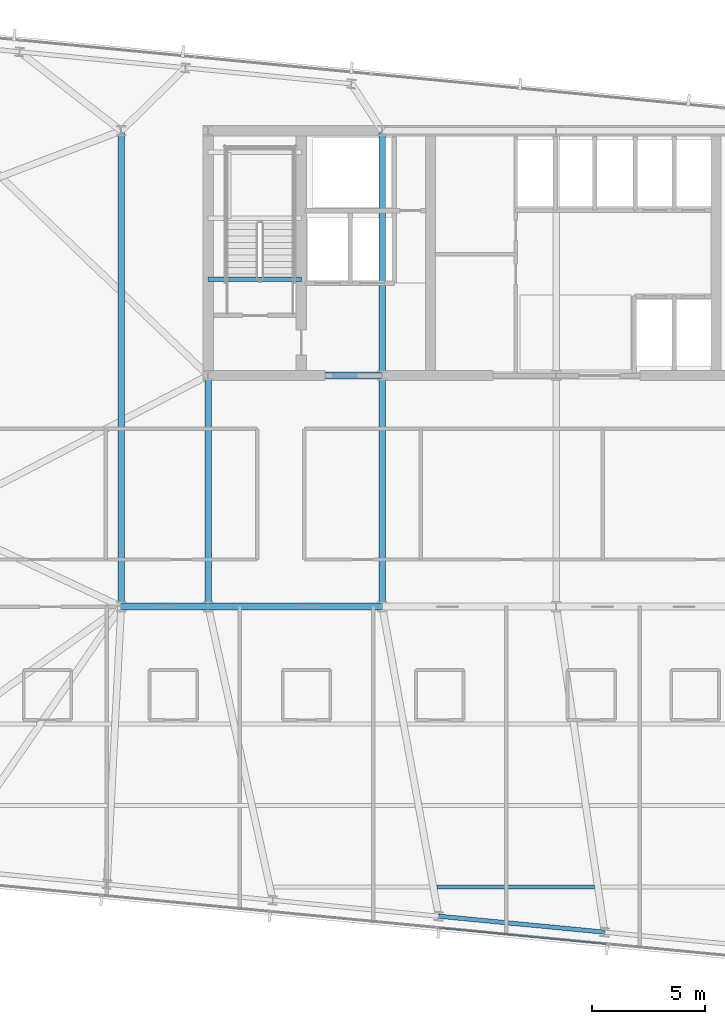
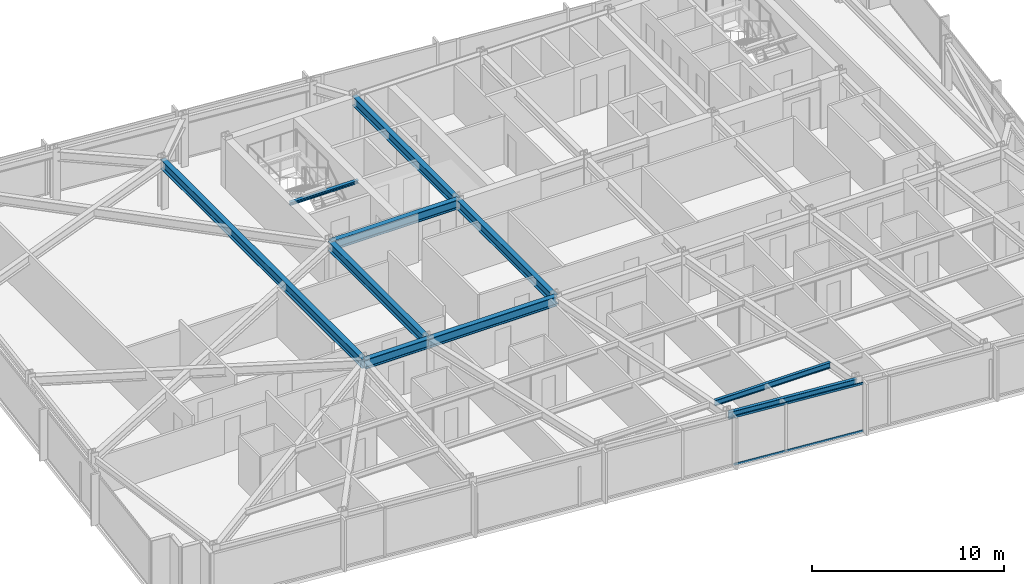
# One storey, part 11 of 38: 10 beams, 2 members, 1 element without a shape of its own.
"""IFC4 building model written with IfcOpenShell, lengths in metres."""

from ifc_helpers import new_model, si_unit, direction, frame, origin, origin_2d, place, context, subcontext, project, spatial, hollow_rectangle, i_section, extrude, material, material_profile, profile_set, type_object, element, aggregate, save


model = new_model("IFC4")

# Units and contexts
model_context = context("Model", 3, precision=1e-05, world=origin(), true_north=direction((0.0, 1.0)))
body_context = subcontext(model_context, "Body", "Model", "MODEL_VIEW")
ifc_project = project(units=[si_unit("LENGTHUNIT", "METRE"), si_unit("AREAUNIT", "SQUARE_METRE"), si_unit("VOLUMEUNIT", "CUBIC_METRE"), si_unit("PLANEANGLEUNIT", "RADIAN"), si_unit("MASSUNIT", "GRAM", prefix="KILO")], contexts=[model_context])

# Site, building, storey
site_placement = place(None, origin())
site = spatial("IfcSite", under=ifc_project, at=site_placement, CompositionType="ELEMENT")
building_placement = place(site_placement, origin())
building = spatial("IfcBuilding", under=site, at=building_placement, Name="Yelkora Congress Tower", CompositionType="ELEMENT")
storey_placement = place(building_placement, frame((0.0, 0.0, 155.60009765625)))
storey = spatial("IfcBuildingStorey", under=building, at=storey_placement, Name="L42", CompositionType="ELEMENT", Elevation=155.60009765625)

# Beams
ifc_material_1 = material(Name="Steel S355J2", Category="steel")
ifc_material_profile_1 = material_profile(ifc_material_1, i_section(OverallWidth=0.300048828125, OverallDepth=0.60009765625, WebThickness=0.015380859375, FlangeThickness=0.030029296875, FilletRadius=0.027099609375, at=origin_2d()), Name="HEB 600")
ifc_profile_set_1 = profile_set([ifc_material_profile_1], Name="Steel S355J2")
beam_type_1 = type_object("IfcBeamType", Name="BM-GIRD-HEB600", PredefinedType="BEAM", material=ifc_profile_set_1)
beam_1_placement = place(storey_placement, frame((19.199951171875, 25.199951171875, 2.77978515625), z_axis=(1.0, 0.0, 0.0), x_axis=(0.0, 1.0, 0.0)))
element("IfcBeam", 1, at=beam_1_placement, inside=storey, type_object=beam_type_1, Name="L42 Spine Grid D Girder 1", PredefinedType="BEAM", context=body_context, shape_type="SweptSolid", body=[
    extrude(i_section(OverallWidth=0.300048828125, OverallDepth=0.60009765625, WebThickness=0.015380859375, FlangeThickness=0.030029296875, FilletRadius=0.027099609375, at=origin_2d()), origin(), (0.0, 0.0, 1.0), 3.840087890625),
])
for number, where, z_axis, x_axis, name in (
    (2, (23.0400390625, 25.199951171875, 2.77978515625), (1.0, 0.0, 0.0), (0.0, 1.0, 0.0), "L42 Spine Grid D Girder 2"),
    (3, (23.0400390625, 35.39990234375, 2.77978515625), (1.0, 0.0, 0.0), (0.0, 1.0, 0.0), "L42 Core South Girder 1"),
):
    element("IfcBeam", number, at=place(storey_placement, frame(where, z_axis=z_axis, x_axis=x_axis)), inside=storey, type_object=beam_type_1, Name=name, PredefinedType="BEAM", context=body_context, shape_type="SweptSolid", body=[
        extrude(i_section(OverallWidth=0.300048828125, OverallDepth=0.60009765625, WebThickness=0.015380859375, FlangeThickness=0.030029296875, FilletRadius=0.027099609375, at=origin_2d()), origin(), (0.0, 0.0, 1.0), 7.679931640625),
    ])
for number, where, z_axis, x_axis, name in (
    (4, (23.0400390625, 25.199951171875, 2.77978515625), (0.0, 1.0, 0.0), (-1.0, 0.0, 0.0), "L42 Core Tie Girder MC-D1"),
    (5, (30.719970703125, 25.199951171875, 2.77978515625), (0.0, 1.0, 0.0), (-1.0, 0.0, 0.0), "L42 Core Tie Girder MC-D2"),
):
    element("IfcBeam", number, at=place(storey_placement, frame(where, z_axis=z_axis, x_axis=x_axis)), inside=storey, type_object=beam_type_1, Name=name, PredefinedType="BEAM", context=body_context, shape_type="SweptSolid", body=[
        extrude(i_section(OverallWidth=0.300048828125, OverallDepth=0.60009765625, WebThickness=0.015380859375, FlangeThickness=0.030029296875, FilletRadius=0.027099609375, at=origin_2d()), origin(), (0.0, 0.0, 1.0), 10.199951171875),
    ])
beam_2_placement = place(storey_placement, frame((30.719970703125, 35.39990234375, 2.77978515625), z_axis=(0.0, 1.0, 0.0), x_axis=(-1.0, 0.0, 0.0)))
element("IfcBeam", 6, at=beam_2_placement, inside=storey, type_object=beam_type_1, Name="L42 Core Tie Girder MC-S2", PredefinedType="BEAM", context=body_context, shape_type="SweptSolid", body=[
    extrude(i_section(OverallWidth=0.300048828125, OverallDepth=0.60009765625, WebThickness=0.015380859375, FlangeThickness=0.030029296875, FilletRadius=0.027099609375, at=origin_2d()), origin(), (0.0, 0.0, 1.0), 10.800048828125),
])
beam_3_placement = place(storey_placement, frame((19.199951171875, 25.199951171875, 2.77978515625), z_axis=(0.0, 1.0, 0.0), x_axis=(-1.0, 0.0, 0.0)))
element("IfcBeam", 7, at=beam_3_placement, inside=storey, type_object=beam_type_1, Name="L42 Neck Flank Girder MC-F1", PredefinedType="BEAM", context=body_context, shape_type="SweptSolid", body=[
    extrude(i_section(OverallWidth=0.300048828125, OverallDepth=0.60009765625, WebThickness=0.015380859375, FlangeThickness=0.030029296875, FilletRadius=0.027099609375, at=origin_2d()), origin(), (0.0, 0.0, 1.0), 21.0),
])
ifc_material_profile_2 = material_profile(ifc_material_1, i_section(OverallWidth=0.169921875, OverallDepth=0.360107421875, WebThickness=0.008056640625, FlangeThickness=0.0126953125, FilletRadius=0.01806640625, at=origin_2d()), Name="IPE 360")
ifc_profile_set_2 = profile_set([ifc_material_profile_2], Name="Steel S355J2")
beam_type_2 = type_object("IfcBeamType", Name="BM-JOIST-IPE360", PredefinedType="JOIST", material=ifc_profile_set_2)
beam_4_placement = place(storey_placement, frame((33.137939453125, 12.8212890625, 2.89990234375), z_axis=(1.0, 0.0, 0.0), x_axis=(0.0, 1.0, 0.0)))
element("IfcBeam", 8, at=beam_4_placement, inside=storey, type_object=beam_type_2, Name="L42 Composite Floor Joist 2", PredefinedType="JOIST", context=body_context, shape_type="SweptSolid", body=[
    extrude(i_section(OverallWidth=0.169921875, OverallDepth=0.360107421875, WebThickness=0.008056640625, FlangeThickness=0.0126953125, FilletRadius=0.01806640625, at=origin_2d()), origin(), (0.0, 0.0, 1.0), 6.94189453125),
])
ifc_material_profile_3 = material_profile(ifc_material_1, i_section(OverallWidth=0.199951171875, OverallDepth=0.18994140625, WebThickness=0.006591796875, FlangeThickness=0.010009765625, FilletRadius=0.01806640625, at=origin_2d()), Name="HEA 200")
ifc_profile_set_3 = profile_set([ifc_material_profile_3], Name="Steel S355J2")
beam_type_3 = type_object("IfcBeamType", Name="BM-LAND-HEA200", PredefinedType="BEAM", material=ifc_profile_set_3)
beam_5_placement = place(storey_placement, frame((23.0400390625, 39.639892578125, 2.853759765625), z_axis=(1.0, 0.0, 0.0), x_axis=(0.0, 1.0, 0.0)))
element("IfcBeam", 9, at=beam_5_placement, inside=storey, type_object=beam_type_3, Name="ST-01 L42 Floor Arrival Stringer Header Beam", PredefinedType="BEAM", context=body_context, shape_type="SweptSolid", body=[
    extrude(i_section(OverallWidth=0.199951171875, OverallDepth=0.18994140625, WebThickness=0.006591796875, FlangeThickness=0.010009765625, FilletRadius=0.01806640625, at=origin_2d()), origin(), (0.0, 0.0, 1.0), 4.10986328125),
])
ifc_material_profile_4 = material_profile(ifc_material_1, i_section(OverallWidth=0.18994140625, OverallDepth=0.449951171875, WebThickness=0.009521484375, FlangeThickness=0.0146484375, FilletRadius=0.02099609375, at=origin_2d()), Name="IPE 450")
ifc_profile_set_4 = profile_set([ifc_material_profile_4], Name="Steel S355J2")
beam_type_4 = type_object("IfcBeamType", Name="BM-SPAN-IPE450", PredefinedType="SPANDREL", material=ifc_profile_set_4)
beam_6_placement = place(storey_placement, frame((33.21240234375, 11.53662109375, 2.85498046875), z_axis=(0.995397104697, -0.095836339457, 0.0), x_axis=(0.095836339457, 0.995397104697, 0.0)))
element("IfcBeam", 10, at=beam_6_placement, inside=storey, type_object=beam_type_4, Name="L42 Perimeter Beam 6", PredefinedType="SPANDREL", context=body_context, shape_type="SweptSolid", body=[
    extrude(i_section(OverallWidth=0.18994140625, OverallDepth=0.449951171875, WebThickness=0.009521484375, FlangeThickness=0.0146484375, FilletRadius=0.02099609375, at=origin_2d()), origin(), (0.0, 0.0, 1.0), 7.357177734375),
])

# Curtain wall, members
ifc_material_2 = material(Name="Anodised aluminium and insulated glass", Category="aluminium")
curtain_wall_type = type_object("IfcCurtainWallType", Name="CW-SYS-B3", PredefinedType="NOTDEFINED", material=ifc_material_2)
curtain_wall_placement = place(storey_placement, origin())
curtain_wall = element("IfcCurtainWall", 11, at=curtain_wall_placement, inside=storey, type_object=curtain_wall_type, Name="L42 Unitised Curtain Wall 20", PredefinedType="NOTDEFINED")
ifc_material_3 = material(Name="Anodised aluminium 6063-T6", Category="aluminium")
ifc_material_profile_5 = material_profile(ifc_material_3, hollow_rectangle(XDim=0.06005859375, YDim=0.1298828125, WallThickness=0.00390625, at=origin_2d()), Name="ALU 60x130x4")
ifc_profile_set_5 = profile_set([ifc_material_profile_5], Name="Anodised aluminium 6063-T6")
member_type = type_object("IfcMemberType", Name="MEM-TR-B3", PredefinedType="USERDEFINED", material=ifc_profile_set_5)
member_1_placement = place(storey_placement, frame((40.626708984375, 10.310302734375, 0.02978515625), z_axis=(-0.99539548672, 0.095853142967, 0.0), x_axis=(-0.095853142967, -0.99539548672, 0.0)))
member_1 = element("IfcMember", 12, at=member_1_placement, type_object=member_type, Name="CW-B3 transom 3.1", ObjectType="TRANSOM", PredefinedType="USERDEFINED", context=body_context, shape_type="SweptSolid", body=[
    extrude(hollow_rectangle(XDim=0.06005859375, YDim=0.1298828125, WallThickness=0.00390625, at=origin_2d()), origin(), (0.0, 0.0, 1.0), 7.404296875),
])
member_2_placement = place(storey_placement, frame((40.626708984375, 10.310302734375, 3.0498046875), z_axis=(-0.99539548672, 0.095853142967, 0.0), x_axis=(-0.095853142967, -0.99539548672, 0.0)))
member_2 = element("IfcMember", 13, at=member_2_placement, type_object=member_type, Name="CW-B3 transom 3.2", ObjectType="TRANSOM", PredefinedType="USERDEFINED", context=body_context, shape_type="SweptSolid", body=[
    extrude(hollow_rectangle(XDim=0.06005859375, YDim=0.1298828125, WallThickness=0.00390625, at=origin_2d()), origin(), (0.0, 0.0, 1.0), 7.404296875),
])
aggregate(curtain_wall, [member_1, member_2])

save(model, "model.ifc")
